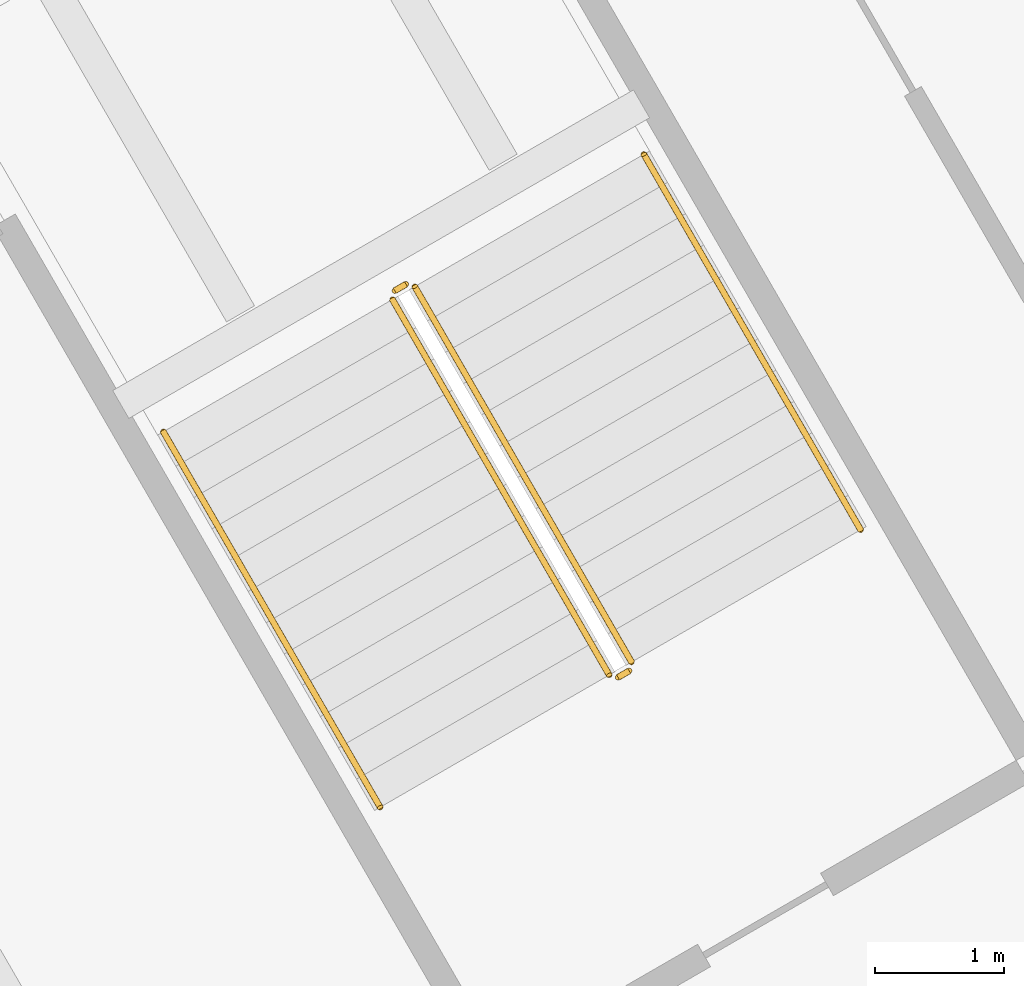
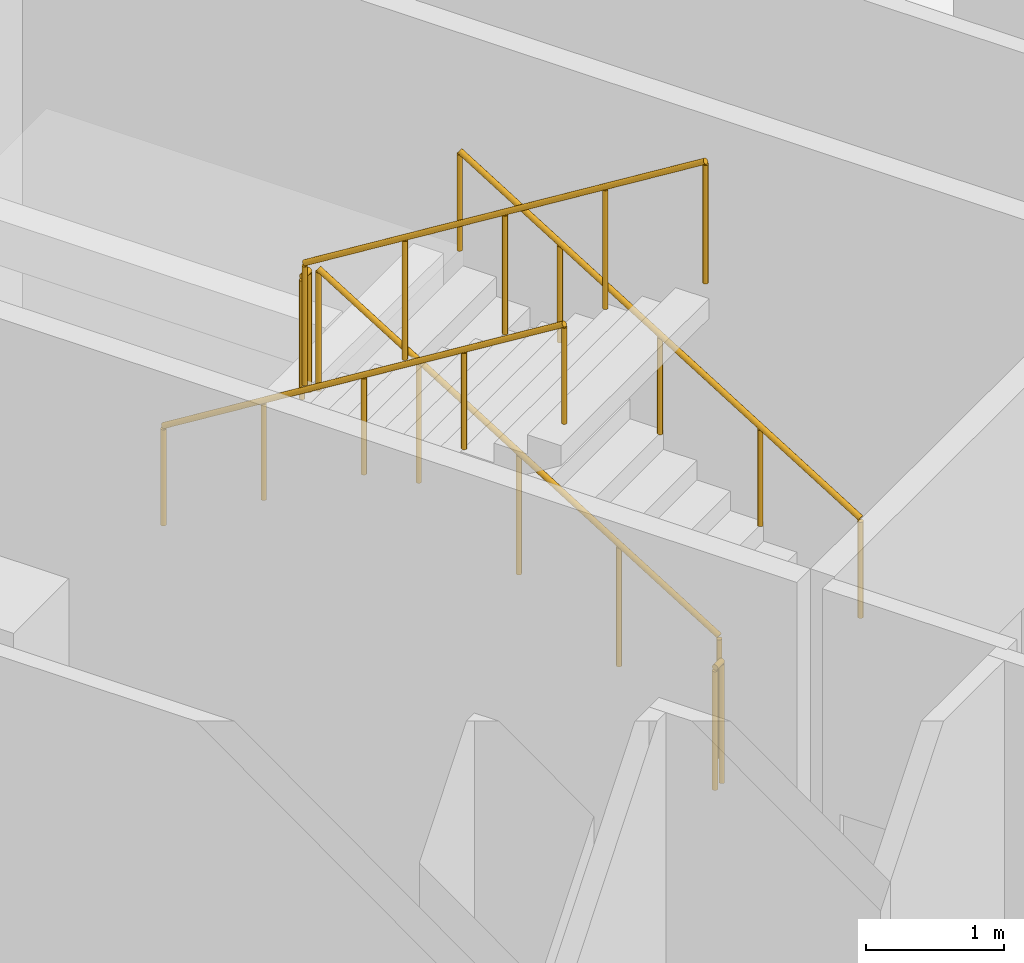
# One storey, part 16 of 21: 6 railings.
"""IFC4 building model written with IfcOpenShell, lengths in metres."""

import ifcopenshell
import ifcopenshell.guid

model = None  # the IFC model being written
_history = None  # IfcOwnerHistory: only IFC2X3 demands one
_inside = {}  # id of a spatial element -> (the spatial element, [elements in it])
_under = {}  # id of a project, library or spatial element -> (it, [spatial elements below it])
_declared = {}  # id of a project -> (the project, [libraries it declares])
_typed = {}  # id of a type object -> (the type object, [elements of that type])
_made_of = {}  # id of a material, layer set ... -> (it, [elements and type objects made of it])


def new_model(schema):
    """Start an empty IFC model of exactly this schema.

    Asked for "IFC4X3", IfcOpenShell would pick the latest addendum, in which some entities
    have other attributes; the version numbers below select the first issue.
    IFC2X3 requires an IfcOwnerHistory on every rooted entity: one is made here for all.
    """
    global model, _history
    if schema == "IFC4X3":
        model = ifcopenshell.file(schema_version=(4, 3, 0, 0))
    else:
        model = ifcopenshell.file(schema=schema)
    _inside.clear()
    _under.clear()
    _declared.clear()
    _typed.clear()
    _made_of.clear()
    _history = None
    if model.schema == "IFC2X3":
        org = make("IfcOrganization", Name="unknown")
        user = make(
            "IfcPersonAndOrganization",
            ThePerson=make("IfcPerson", FamilyName="unknown"),
            TheOrganization=org,
        )
        app = make(
            "IfcApplication",
            ApplicationDeveloper=org,
            Version="unknown",
            ApplicationFullName="unknown",
            ApplicationIdentifier="unknown",
        )
        _history = make(
            "IfcOwnerHistory",
            OwningUser=user,
            OwningApplication=app,
            ChangeAction="ADDED",
            CreationDate=0,
        )
    return model


def make(cls, **values):
    """One entity of the class cls with the attributes given. An attribute that is None is left unset."""
    return model.create_entity(
        cls, **{name: value for name, value in values.items() if value is not None}
    )


def rooted(cls, **values):
    """An entity with a GlobalId (a new one), such as an element, a storey or a relation."""
    return make(cls, GlobalId=ifcopenshell.guid.new(), OwnerHistory=_history, **values)


def si_unit(unit_type, name, prefix=None):
    """IfcSIUnit, for example si_unit("LENGTHUNIT", "METRE", prefix="MILLI")."""
    return make("IfcSIUnit", UnitType=unit_type, Prefix=prefix, Name=name)


def assignment(units):
    """IfcUnitAssignment: the units of a project."""
    return None if units is None else make("IfcUnitAssignment", Units=units)


def point(xyz):
    """IfcCartesianPoint."""
    return None if xyz is None else make("IfcCartesianPoint", Coordinates=xyz)


def direction(xyz):
    """IfcDirection."""
    return None if xyz is None else make("IfcDirection", DirectionRatios=xyz)


def frame(location, z_axis=None, x_axis=None):
    """IfcAxis2Placement3D, a coordinate frame: its origin and axes. An axis left out is left unset."""
    return make(
        "IfcAxis2Placement3D",
        Location=point(location),
        Axis=direction(z_axis),
        RefDirection=direction(x_axis),
    )


def frame_2d(location, x_axis=None):
    """IfcAxis2Placement2D, a coordinate frame in the plane: its origin and x axis."""
    return make(
        "IfcAxis2Placement2D", Location=point(location), RefDirection=direction(x_axis)
    )


def origin():
    """The frame at (0, 0, 0) with its axes left unset."""
    return frame((0.0, 0.0, 0.0))


def origin_2d():
    """The frame at (0, 0) in the plane with its x axis left unset."""
    return frame_2d((0.0, 0.0))


def place(relative_to, where):
    """IfcLocalPlacement: puts the frame where relative to a parent placement (None: the world)."""
    return make(
        "IfcLocalPlacement", PlacementRelTo=relative_to, RelativePlacement=where
    )


def context(
    kind, dimensions, precision=None, world=None, true_north=None, identifier=None
):
    """IfcGeometricRepresentationContext, for example the 3D "Model" context."""
    return make(
        "IfcGeometricRepresentationContext",
        ContextIdentifier=identifier,
        ContextType=kind,
        CoordinateSpaceDimension=dimensions,
        Precision=precision,
        WorldCoordinateSystem=world,
        TrueNorth=true_north,
    )


def subcontext(parent, identifier, kind, view, scale=None):
    """IfcGeometricRepresentationSubContext, for example "Body" below "Model"."""
    return make(
        "IfcGeometricRepresentationSubContext",
        ContextIdentifier=identifier,
        ContextType=kind,
        ParentContext=parent,
        TargetScale=scale,
        TargetView=view,
    )


def project(units=None, contexts=None):
    """IfcProject with its units and contexts."""
    return rooted(
        "IfcProject",
        Name="project",
        RepresentationContexts=contexts,
        UnitsInContext=assignment(units),
    )


def spatial(cls, under=None, at=None, **own):
    """A site, building, storey or space (cls), placed at a placement, below another one or the project."""
    s = rooted(cls, ObjectPlacement=at, **own)
    if under is not None:
        _under.setdefault(under.id(), (under, []))[1].append(s)
    return s


def profile(cls, at=None, kind="AREA", **sizes):
    """A parametric profile (cls). Its sizes go by their IFC names, for example OverallWidth=200.0."""
    return make(cls, ProfileType=kind, Position=at, **sizes)


def circle(**sizes):
    """IfcCircleProfileDef."""
    return profile("IfcCircleProfileDef", **sizes)


def extrude(swept, where, along, depth):
    """IfcExtrudedAreaSolid: the profile swept, set in the frame where, extruded along a direction by depth."""
    return make(
        "IfcExtrudedAreaSolid",
        SweptArea=swept,
        Position=where,
        ExtrudedDirection=direction(along),
        Depth=depth,
    )


def shape(context_of_items, identifier, shape_type, items):
    """IfcShapeRepresentation: the items that make up one representation, for example the "Body"."""
    return make(
        "IfcShapeRepresentation",
        ContextOfItems=context_of_items,
        RepresentationIdentifier=identifier,
        RepresentationType=shape_type,
        Items=items,
    )


def material(Name=None, Category=None):
    """IfcMaterial."""
    return make("IfcMaterial", Name=Name, Category=Category)


def made_of(thing, what):
    """Note that an element or type object is made of a material, layer set ...; save() writes the relation."""
    if what is not None:
        _made_of.setdefault(what.id(), (what, []))[1].append(thing)
    return thing


def type_object(cls, material=None, **own):
    """A type object (cls), such as IfcWallType, which elements share."""
    return made_of(rooted(cls, **own), material)


def element(
    cls,
    number,
    at=None,
    inside=None,
    cuts=None,
    type_object=None,
    material=None,
    context=None,
    identifier="Body",
    shape_type=None,
    held_by="IfcProductDefinitionShape",
    body=None,
    shapes=None,
    **own,
):
    """One element of the class cls, such as IfcWall. Its Tag is "e" and its number.

    at: its placement. inside: the storey or other place that contains it. cuts: it is an
    opening in that element (IfcRelVoidsElement). A single representation is given by context,
    identifier, shape_type and body (its items); several are given by shapes. held_by: the class
    of the entity that holds the representations. save() writes the other relations.
    """
    e = rooted(cls, Tag="e%d" % number, ObjectPlacement=at, **own)
    if body is not None:
        shapes = [shape(context, identifier, shape_type, body)]
    if shapes is not None:
        e.Representation = make(held_by, Representations=shapes)
    if inside is not None:
        _inside.setdefault(inside.id(), (inside, []))[1].append(e)
    if cuts is not None:
        rooted(
            "IfcRelVoidsElement", RelatingBuildingElement=cuts, RelatedOpeningElement=e
        )
    if type_object is not None:
        _typed.setdefault(type_object.id(), (type_object, []))[1].append(e)
    return made_of(e, material)


def aggregate(whole, parts):
    """IfcRelAggregates: a whole, such as a stair, and the parts it consists of."""
    return rooted("IfcRelAggregates", RelatingObject=whole, RelatedObjects=parts)


def save(model, path):
    """Write the relations noted so far, then the file.

    IfcRelAggregates (storeys below a building ...), IfcRelContainedInSpatialStructure (elements
    in a storey), IfcRelDefinesByType, IfcRelAssociatesMaterial and IfcRelDeclares: one each for
    every whole, place, type object, material and project.
    """
    for whole, parts in _under.values():
        aggregate(whole, parts)
    for where, things in _inside.values():
        rooted(
            "IfcRelContainedInSpatialStructure",
            RelatedElements=things,
            RelatingStructure=where,
        )
    for kind, things in _typed.values():
        rooted("IfcRelDefinesByType", RelatedObjects=things, RelatingType=kind)
    for what, things in _made_of.values():
        rooted("IfcRelAssociatesMaterial", RelatedObjects=things, RelatingMaterial=what)
    for by, libraries in _declared.values():
        rooted("IfcRelDeclares", RelatingContext=by, RelatedDefinitions=libraries)
    model.write(path)


model = new_model("IFC4")

# Units and contexts
model_context = context("Model", 3, precision=1e-05, world=origin(), true_north=direction((0.0, 1.0)))
body_context = subcontext(model_context, "Body", "Model", "MODEL_VIEW")
ifc_project = project(units=[si_unit("LENGTHUNIT", "METRE"), si_unit("AREAUNIT", "SQUARE_METRE"), si_unit("VOLUMEUNIT", "CUBIC_METRE"), si_unit("PLANEANGLEUNIT", "RADIAN"), si_unit("MASSUNIT", "GRAM", prefix="KILO")], contexts=[model_context])

# Site, building, storey
site_placement = place(None, origin())
site = spatial("IfcSite", under=ifc_project, at=site_placement, CompositionType="ELEMENT")
building_placement = place(site_placement, origin())
building = spatial("IfcBuilding", under=site, at=building_placement, Name="Verdalira Terraces Hotel", CompositionType="ELEMENT")
storey_placement = place(building_placement, frame((0.0, 0.0, 19.0)))
storey = spatial("IfcBuildingStorey", under=building, at=storey_placement, Name="L03", CompositionType="ELEMENT", Elevation=19.0)

# Railings
ifc_material_1 = material(Name="Stainless steel", Category="steel")
railing_type_1 = type_object("IfcRailingType", Name="Stair guard 1100", PredefinedType="GUARDRAIL", material=ifc_material_1)
railing_1_placement = place(storey_placement, frame((-27.944092, -16.999512, 0.173096)))
element("IfcRailing", 1, at=railing_1_placement, inside=storey, type_object=railing_type_1, Name="L03 PS2 stair guard 1", PredefinedType="GUARDRAIL", context=body_context, shape_type="SweptSolid", body=[
    extrude(circle(Radius=0.023926, at=origin_2d()), frame((0.0, 0.0, 1.076172), z_axis=(-0.425288379, 0.736667954, 0.525785241), x_axis=(-0.86603918, -0.499976139, 0.0)), (0.0, 0.0, 1.0), 3.950195),
    extrude(circle(Radius=0.020996, at=origin_2d()), origin(), (0.0, 0.0, 1.0), 1.052002),
    extrude(circle(Radius=0.020996, at=origin_2d()), frame((-0.419922, 0.727539, 0.519287)), (0.0, 0.0, 1.0), 1.052002),
    extrude(circle(Radius=0.020996, at=origin_2d()), frame((-0.839844, 1.455078, 1.038574)), (0.0, 0.0, 1.0), 1.052002),
    extrude(circle(Radius=0.020996, at=origin_2d()), frame((-1.26001, 2.182373, 1.557617)), (0.0, 0.0, 1.0), 1.052002),
    extrude(circle(Radius=0.020996, at=origin_2d()), frame((-1.679932, 2.909912, 2.076904)), (0.0, 0.0, 1.0), 1.052002),
])
railing_2_placement = place(storey_placement, frame((-29.692383, -14.071289, 2.25)))
element("IfcRailing", 2, at=railing_2_placement, inside=storey, type_object=railing_type_1, Name="L03 PS2 stair guard 2", PredefinedType="GUARDRAIL", context=body_context, shape_type="SweptSolid", body=[
    extrude(circle(Radius=0.023926, at=origin_2d()), frame((0.0, 0.0, 1.076172), z_axis=(-0.865982458, -0.500074377, 0.0), x_axis=(0.500074377, -0.865982458, 0.0)), (0.0, 0.0, 1.0), 0.100098),
    extrude(circle(Radius=0.020996, at=origin_2d()), origin(), (0.0, 0.0, 1.0), 1.052002),
    extrude(circle(Radius=0.020996, at=origin_2d()), frame((-0.08667, -0.050049, 0.0)), (0.0, 0.0, 1.0), 1.052002),
])
railing_3_placement = place(storey_placement, frame((-29.797119, -14.189697, 2.423096)))
element("IfcRailing", 3, at=railing_3_placement, inside=storey, type_object=railing_type_1, Name="L03 PS2 stair guard 3", PredefinedType="GUARDRAIL", context=body_context, shape_type="SweptSolid", body=[
    extrude(circle(Radius=0.023926, at=origin_2d()), frame((0.0, 0.0, 1.076172), z_axis=(0.425288379, -0.736667954, 0.525785241), x_axis=(0.86603918, 0.499976139, 0.0)), (0.0, 0.0, 1.0), 3.950195),
    extrude(circle(Radius=0.020996, at=origin_2d()), origin(), (0.0, 0.0, 1.0), 1.052002),
    extrude(circle(Radius=0.020996, at=origin_2d()), frame((0.419922, -0.727539, 0.519287)), (0.0, 0.0, 1.0), 1.052002),
    extrude(circle(Radius=0.020996, at=origin_2d()), frame((0.839844, -1.455078, 1.038574)), (0.0, 0.0, 1.0), 1.052002),
    extrude(circle(Radius=0.020996, at=origin_2d()), frame((1.26001, -2.182373, 1.557617)), (0.0, 0.0, 1.0), 1.052002),
    extrude(circle(Radius=0.020996, at=origin_2d()), frame((1.679932, -2.909912, 2.076904)), (0.0, 0.0, 1.0), 1.052002),
])
railing_4_placement = place(storey_placement, frame((-27.962402, -17.067871, 0.0)))
element("IfcRailing", 4, at=railing_4_placement, inside=storey, type_object=railing_type_1, Name="L03 PS2 stair guard 4", PredefinedType="GUARDRAIL", context=body_context, shape_type="SweptSolid", body=[
    extrude(circle(Radius=0.023926, at=origin_2d()), frame((0.0, 0.0, 1.076172), z_axis=(-0.865370492, -0.501132629, 0.0), x_axis=(0.501132629, -0.865370492, 0.0)), (0.0, 0.0, 1.0), 0.099854),
    extrude(circle(Radius=0.020996, at=origin_2d()), origin(), (0.0, 0.0, 1.0), 1.052002),
    extrude(circle(Radius=0.020996, at=origin_2d()), frame((-0.086426, -0.050049, 0.0)), (0.0, 0.0, 1.0), 1.052002),
])
ifc_material_2 = material(Name="Stainless steel", Category="steel")
railing_type_2 = type_object("IfcRailingType", Name="Stair handrail 900", PredefinedType="HANDRAIL", material=ifc_material_2)
railing_5_placement = place(storey_placement, frame((-26.168701, -15.974609, 0.173096)))
element("IfcRailing", 5, at=railing_5_placement, inside=storey, type_object=railing_type_2, Name="L03 PS2 stair handrail 1", PredefinedType="HANDRAIL", context=body_context, shape_type="SweptSolid", body=[
    extrude(circle(Radius=0.023926, at=origin_2d()), frame((0.0, 0.0, 0.875977), z_axis=(-0.425288379, 0.736667954, 0.525785241), x_axis=(-0.86603918, -0.499976139, 0.0)), (0.0, 0.0, 1.0), 3.950195),
    extrude(circle(Radius=0.020996, at=origin_2d()), origin(), (0.0, 0.0, 1.0), 0.851807),
    extrude(circle(Radius=0.020996, at=origin_2d()), frame((-0.419922, 0.727539, 0.519287)), (0.0, 0.0, 1.0), 0.851807),
    extrude(circle(Radius=0.020996, at=origin_2d()), frame((-0.839844, 1.455078, 1.038574)), (0.0, 0.0, 1.0), 0.851807),
    extrude(circle(Radius=0.020996, at=origin_2d()), frame((-1.26001, 2.182373, 1.557617)), (0.0, 0.0, 1.0), 0.851807),
    extrude(circle(Radius=0.020996, at=origin_2d()), frame((-1.679932, 2.909912, 2.076904)), (0.0, 0.0, 1.0), 0.851807),
])
railing_6_placement = place(storey_placement, frame((-31.57251, -15.2146, 2.423096)))
element("IfcRailing", 6, at=railing_6_placement, inside=storey, type_object=railing_type_2, Name="L03 PS2 stair handrail 2", PredefinedType="HANDRAIL", context=body_context, shape_type="SweptSolid", body=[
    extrude(circle(Radius=0.023926, at=origin_2d()), frame((0.0, 0.0, 0.875977), z_axis=(0.425288379, -0.736667954, 0.525785241), x_axis=(0.86603918, 0.499976139, 0.0)), (0.0, 0.0, 1.0), 3.950195),
    extrude(circle(Radius=0.020996, at=origin_2d()), origin(), (0.0, 0.0, 1.0), 0.851807),
    extrude(circle(Radius=0.020996, at=origin_2d()), frame((0.419922, -0.727539, 0.519287)), (0.0, 0.0, 1.0), 0.851807),
    extrude(circle(Radius=0.020996, at=origin_2d()), frame((0.839844, -1.455078, 1.038574)), (0.0, 0.0, 1.0), 0.851807),
    extrude(circle(Radius=0.020996, at=origin_2d()), frame((1.26001, -2.182373, 1.557617)), (0.0, 0.0, 1.0), 0.851807),
    extrude(circle(Radius=0.020996, at=origin_2d()), frame((1.679932, -2.909912, 2.076904)), (0.0, 0.0, 1.0), 0.851807),
])

save(model, "model.ifc")
